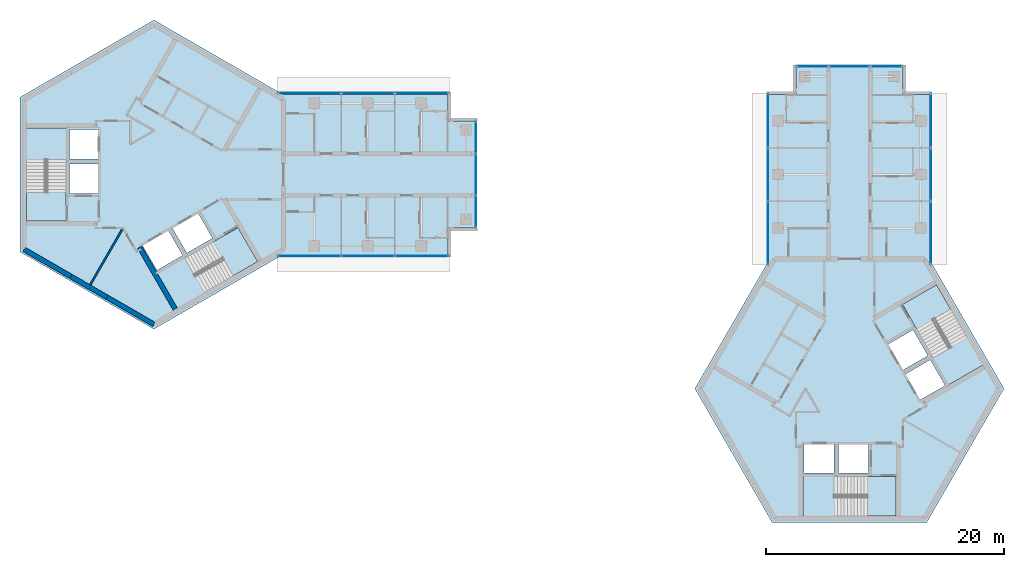
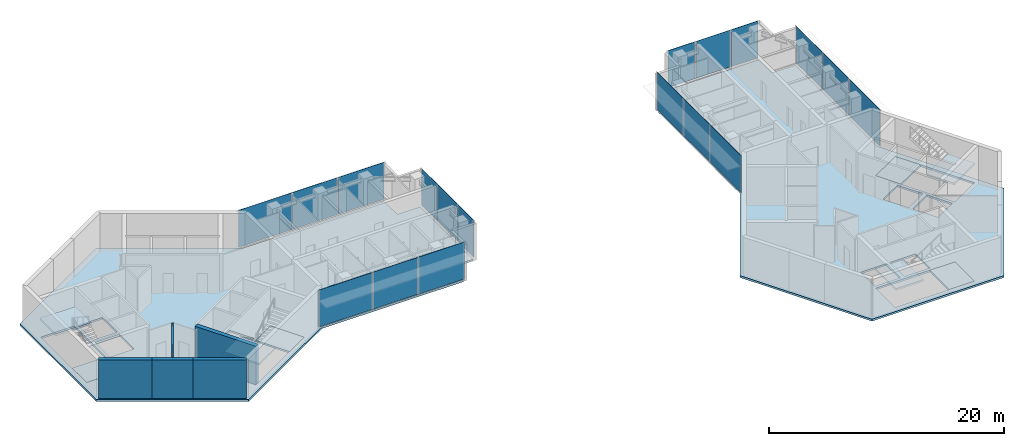
# One storey, part 4 of 11: 18 plates, 10 slabs, 5 walls, 10 elements without a shape of their own.
"""IFC4 building model written with IfcOpenShell, lengths in metres."""

from ifc_helpers import new_model, si_unit, direction, frame, frame_2d, origin, origin_2d, place, context, subcontext, project, spatial, polyline, rectangle, outline, extrude, material, layer, layer_set, type_object, element, aggregate, save


model = new_model("IFC4")

# Units and contexts
model_context = context("Model", 3, precision=1e-05, world=origin(), true_north=direction((0.0, 1.0)))
body_context = subcontext(model_context, "Body", "Model", "MODEL_VIEW")
ifc_project = project(units=[si_unit("LENGTHUNIT", "METRE"), si_unit("AREAUNIT", "SQUARE_METRE"), si_unit("VOLUMEUNIT", "CUBIC_METRE"), si_unit("PLANEANGLEUNIT", "RADIAN"), si_unit("MASSUNIT", "GRAM", prefix="KILO")], contexts=[model_context])

# Site, building, storey
site_placement = place(None, origin())
site = spatial("IfcSite", under=ifc_project, at=site_placement, CompositionType="ELEMENT")
building_placement = place(site_placement, origin())
building = spatial("IfcBuilding", under=site, at=building_placement, Name="Upepo Twin Towers", CompositionType="ELEMENT")
storey_placement = place(building_placement, frame((0.0, 0.0, 279.5)))
storey = spatial("IfcBuildingStorey", under=building, at=storey_placement, Name="L68", CompositionType="ELEMENT", Elevation=279.5)

# Curtain wall, plates
ifc_material_1 = material(Name="Aluminium and fritted glass", Category="aluminium")
curtain_wall_type = type_object("IfcCurtainWallType", Name="Tower curtain wall TW4, fritted glass", PredefinedType="NOTDEFINED", material=ifc_material_1)
curtain_wall_1_placement = place(storey_placement, origin())
curtain_wall_1 = element("IfcCurtainWall", 1, at=curtain_wall_1_placement, inside=storey, type_object=curtain_wall_type, Name="T1 L68 wing A flank L curtain wall", PredefinedType="NOTDEFINED")
ifc_material_2 = material(Name="Ceramic-fritted laminated glass", Category="glass")
ifc_layer_1 = layer(ifc_material_2, 0.031982421875)
ifc_layer_set_1 = layer_set([ifc_layer_1], Name="Fritted glass panel, 70 per cent dot frit, 32 mm double glazed")
plate_type_1 = type_object("IfcPlateType", Name="Fritted glass panel, 70 per cent dot frit, 32 mm double glazed", PredefinedType="CURTAIN_PANEL", material=ifc_layer_set_1)
plate_1_placement = place(storey_placement, frame((13.084716796875, 6.85009765625, 0.14990234375), z_axis=(0.0, 0.0, 1.0), x_axis=(1.0, 0.0, 0.0)))
plate_1 = element("IfcPlate", 2, at=plate_1_placement, type_object=plate_type_1, Name="T1 L68 wing A flank L curtain wall panel 1", PredefinedType="CURTAIN_PANEL", context=body_context, shape_type="SweptSolid", body=[
    extrude(rectangle(XDim=5.265380859375, YDim=0.031982421875, at=origin_2d()), origin(), (0.0, 0.0, 1.0), 3.85009765625),
])
plate_2_placement = place(storey_placement, frame((18.0, 6.85009765625, 0.14990234375), z_axis=(0.0, 0.0, 1.0), x_axis=(1.0, 0.0, 0.0)))
plate_2 = element("IfcPlate", 3, at=plate_2_placement, type_object=plate_type_1, Name="T1 L68 wing A flank L curtain wall panel 2", PredefinedType="CURTAIN_PANEL", context=body_context, shape_type="SweptSolid", body=[
    extrude(rectangle(XDim=4.43505859375, YDim=0.031982421875, at=origin_2d()), origin(), (0.0, 0.0, 1.0), 3.85009765625),
])
plate_3_placement = place(storey_placement, frame((22.53369140625, 6.85009765625, 0.14990234375), z_axis=(0.0, 0.0, 1.0), x_axis=(1.0, 0.0, 0.0)))
plate_3 = element("IfcPlate", 4, at=plate_3_placement, type_object=plate_type_1, Name="T1 L68 wing A flank L curtain wall panel 3", PredefinedType="CURTAIN_PANEL", context=body_context, shape_type="SweptSolid", body=[
    extrude(rectangle(XDim=4.50244140625, YDim=0.031982421875, at=origin_2d()), origin(), (0.0, 0.0, 1.0), 3.85009765625),
])
aggregate(curtain_wall_1, [plate_1, plate_2, plate_3])

curtain_wall_2_placement = place(storey_placement, origin())
curtain_wall_2 = element("IfcCurtainWall", 5, at=curtain_wall_2_placement, inside=storey, type_object=curtain_wall_type, Name="T1 L68 wing A flank R curtain wall", PredefinedType="NOTDEFINED")
plate_4_placement = place(storey_placement, frame((22.53369140625, -6.85009765625, 0.14990234375), z_axis=(0.0, 0.0, 1.0), x_axis=(-1.0, 0.0, 0.0)))
plate_4 = element("IfcPlate", 6, at=plate_4_placement, type_object=plate_type_1, Name="T1 L68 wing A flank R curtain wall panel 1", PredefinedType="CURTAIN_PANEL", context=body_context, shape_type="SweptSolid", body=[
    extrude(rectangle(XDim=4.50244140625, YDim=0.031982421875, at=origin_2d()), origin(), (0.0, 0.0, 1.0), 3.85009765625),
])
plate_5_placement = place(storey_placement, frame((18.0, -6.85009765625, 0.14990234375), z_axis=(0.0, 0.0, 1.0), x_axis=(-1.0, 0.0, 0.0)))
plate_5 = element("IfcPlate", 7, at=plate_5_placement, type_object=plate_type_1, Name="T1 L68 wing A flank R curtain wall panel 2", PredefinedType="CURTAIN_PANEL", context=body_context, shape_type="SweptSolid", body=[
    extrude(rectangle(XDim=4.43505859375, YDim=0.031982421875, at=origin_2d()), origin(), (0.0, 0.0, 1.0), 3.85009765625),
])
plate_6_placement = place(storey_placement, frame((13.084716796875, -6.85009765625, 0.14990234375), z_axis=(0.0, 0.0, 1.0), x_axis=(-1.0, 0.0, 0.0)))
plate_6 = element("IfcPlate", 8, at=plate_6_placement, type_object=plate_type_1, Name="T1 L68 wing A flank R curtain wall panel 3", PredefinedType="CURTAIN_PANEL", context=body_context, shape_type="SweptSolid", body=[
    extrude(rectangle(XDim=5.265380859375, YDim=0.031982421875, at=origin_2d()), origin(), (0.0, 0.0, 1.0), 3.85009765625),
])
aggregate(curtain_wall_2, [plate_4, plate_5, plate_6])

# Curtain wall, plate
curtain_wall_3_placement = place(storey_placement, origin())
curtain_wall_3 = element("IfcCurtainWall", 9, at=curtain_wall_3_placement, inside=storey, type_object=curtain_wall_type, Name="T1 L68 wing A nose curtain wall", PredefinedType="NOTDEFINED")
plate_7_placement = place(storey_placement, frame((27.10009765625, 0.0, 0.14990234375), z_axis=(0.0, 0.0, 1.0), x_axis=(0.0, 1.0, 0.0)))
plate_7 = element("IfcPlate", 10, at=plate_7_placement, type_object=plate_type_1, Name="T1 L68 wing A nose curtain wall panel 2", PredefinedType="CURTAIN_PANEL", context=body_context, shape_type="SweptSolid", body=[
    extrude(rectangle(XDim=3.43505859375, YDim=0.031982421875, at=origin_2d()), origin(), (0.0, 0.0, 1.0), 3.85009765625),
])

# Curtain wall, plates
curtain_wall_4_placement = place(storey_placement, origin())
curtain_wall_4 = element("IfcCurtainWall", 11, at=curtain_wall_4_placement, inside=storey, type_object=curtain_wall_type, Name="T2 L68 wing A flank L curtain wall", PredefinedType="NOTDEFINED")
plate_8_placement = place(storey_placement, frame((51.64990234375, -4.915283203125, 0.14990234375), z_axis=(0.0, 0.0, 1.0), x_axis=(0.0, 1.0, 0.0)))
plate_8 = element("IfcPlate", 12, at=plate_8_placement, type_object=plate_type_1, Name="T2 L68 wing A flank L curtain wall panel 1", PredefinedType="CURTAIN_PANEL", context=body_context, shape_type="SweptSolid", body=[
    extrude(rectangle(XDim=5.265380859375, YDim=0.031982421875, at=origin_2d()), origin(), (0.0, 0.0, 1.0), 3.85009765625),
])
plate_9_placement = place(storey_placement, frame((51.64990234375, 0.0, 0.14990234375), z_axis=(0.0, 0.0, 1.0), x_axis=(0.0, 1.0, 0.0)))
plate_9 = element("IfcPlate", 13, at=plate_9_placement, type_object=plate_type_1, Name="T2 L68 wing A flank L curtain wall panel 2", PredefinedType="CURTAIN_PANEL", context=body_context, shape_type="SweptSolid", body=[
    extrude(rectangle(XDim=4.43505859375, YDim=0.031982421875, at=origin_2d()), origin(), (0.0, 0.0, 1.0), 3.85009765625),
])
plate_10_placement = place(storey_placement, frame((51.64990234375, 4.53369140625, 0.14990234375), z_axis=(0.0, 0.0, 1.0), x_axis=(0.0, 1.0, 0.0)))
plate_10 = element("IfcPlate", 14, at=plate_10_placement, type_object=plate_type_1, Name="T2 L68 wing A flank L curtain wall panel 3", PredefinedType="CURTAIN_PANEL", context=body_context, shape_type="SweptSolid", body=[
    extrude(rectangle(XDim=4.50244140625, YDim=0.031982421875, at=origin_2d()), origin(), (0.0, 0.0, 1.0), 3.85009765625),
])
aggregate(curtain_wall_4, [plate_8, plate_9, plate_10])

curtain_wall_5_placement = place(storey_placement, origin())
curtain_wall_5 = element("IfcCurtainWall", 15, at=curtain_wall_5_placement, inside=storey, type_object=curtain_wall_type, Name="T2 L68 wing A flank R curtain wall", PredefinedType="NOTDEFINED")
plate_11_placement = place(storey_placement, frame((65.35009765625, 4.53369140625, 0.14990234375), z_axis=(0.0, 0.0, 1.0), x_axis=(0.0, -1.0, 0.0)))
plate_11 = element("IfcPlate", 16, at=plate_11_placement, type_object=plate_type_1, Name="T2 L68 wing A flank R curtain wall panel 1", PredefinedType="CURTAIN_PANEL", context=body_context, shape_type="SweptSolid", body=[
    extrude(rectangle(XDim=4.50244140625, YDim=0.031982421875, at=origin_2d()), origin(), (0.0, 0.0, 1.0), 3.85009765625),
])
plate_12_placement = place(storey_placement, frame((65.35009765625, 0.0, 0.14990234375), z_axis=(0.0, 0.0, 1.0), x_axis=(0.0, -1.0, 0.0)))
plate_12 = element("IfcPlate", 17, at=plate_12_placement, type_object=plate_type_1, Name="T2 L68 wing A flank R curtain wall panel 2", PredefinedType="CURTAIN_PANEL", context=body_context, shape_type="SweptSolid", body=[
    extrude(rectangle(XDim=4.43505859375, YDim=0.031982421875, at=origin_2d()), origin(), (0.0, 0.0, 1.0), 3.85009765625),
])
plate_13_placement = place(storey_placement, frame((65.35009765625, -4.915283203125, 0.14990234375), z_axis=(0.0, 0.0, 1.0), x_axis=(0.0, -1.0, 0.0)))
plate_13 = element("IfcPlate", 18, at=plate_13_placement, type_object=plate_type_1, Name="T2 L68 wing A flank R curtain wall panel 3", PredefinedType="CURTAIN_PANEL", context=body_context, shape_type="SweptSolid", body=[
    extrude(rectangle(XDim=5.265380859375, YDim=0.031982421875, at=origin_2d()), origin(), (0.0, 0.0, 1.0), 3.85009765625),
])
aggregate(curtain_wall_5, [plate_11, plate_12, plate_13])

# Curtain wall, plate
curtain_wall_6_placement = place(storey_placement, origin())
curtain_wall_6 = element("IfcCurtainWall", 19, at=curtain_wall_6_placement, inside=storey, type_object=curtain_wall_type, Name="T2 L68 wing A nose curtain wall", PredefinedType="NOTDEFINED")
plate_14_placement = place(storey_placement, frame((58.5, 9.10009765625, 0.14990234375), z_axis=(0.0, 0.0, 1.0), x_axis=(-1.0, 0.0, 0.0)))
plate_14 = element("IfcPlate", 20, at=plate_14_placement, type_object=plate_type_1, Name="T2 L68 wing A nose curtain wall panel 2", PredefinedType="CURTAIN_PANEL", context=body_context, shape_type="SweptSolid", body=[
    extrude(rectangle(XDim=3.43505859375, YDim=0.031982421875, at=origin_2d()), origin(), (0.0, 0.0, 1.0), 3.85009765625),
])

# Plate
ifc_material_3 = material(Name="Clear laminated glass in opening sash", Category="glass")
ifc_layer_2 = layer(ifc_material_3, 0.031982421875)
ifc_layer_set_2 = layer_set([ifc_layer_2], Name="Operable glass panel, 32 mm double glazed")
plate_type_2 = type_object("IfcPlateType", Name="Operable glass panel, 32 mm double glazed", PredefinedType="CURTAIN_PANEL", material=ifc_layer_set_2)
plate_15_placement = place(storey_placement, frame((27.10009765625, -3.108642578125, 0.14990234375), z_axis=(0.0, 0.0, 1.0), x_axis=(0.0, 1.0, 0.0)))
plate_15 = element("IfcPlate", 21, at=plate_15_placement, type_object=plate_type_2, Name="T1 L68 wing A nose curtain wall panel 1", PredefinedType="CURTAIN_PANEL", context=body_context, shape_type="SweptSolid", body=[
    extrude(rectangle(XDim=2.652587890625, YDim=0.031982421875, at=origin_2d()), origin(), (0.0, 0.0, 1.0), 3.85009765625),
])

plate_16_placement = place(storey_placement, frame((27.10009765625, 3.108642578125, 0.14990234375), z_axis=(0.0, 0.0, 1.0), x_axis=(0.0, 1.0, 0.0)))
plate_16 = element("IfcPlate", 22, at=plate_16_placement, type_object=plate_type_2, Name="T1 L68 wing A nose curtain wall panel 3", PredefinedType="CURTAIN_PANEL", context=body_context, shape_type="SweptSolid", body=[
    extrude(rectangle(XDim=2.652587890625, YDim=0.031982421875, at=origin_2d()), origin(), (0.0, 0.0, 1.0), 3.85009765625),
])

aggregate(curtain_wall_3, [plate_15, plate_7, plate_16])

plate_17_placement = place(storey_placement, frame((61.608642578125, 9.10009765625, 0.14990234375), z_axis=(0.0, 0.0, 1.0), x_axis=(-1.0, 0.0, 0.0)))
plate_17 = element("IfcPlate", 23, at=plate_17_placement, type_object=plate_type_2, Name="T2 L68 wing A nose curtain wall panel 1", PredefinedType="CURTAIN_PANEL", context=body_context, shape_type="SweptSolid", body=[
    extrude(rectangle(XDim=2.652587890625, YDim=0.031982421875, at=origin_2d()), origin(), (0.0, 0.0, 1.0), 3.85009765625),
])

plate_18_placement = place(storey_placement, frame((55.391357421875, 9.10009765625, 0.14990234375), z_axis=(0.0, 0.0, 1.0), x_axis=(-1.0, 0.0, 0.0)))
plate_18 = element("IfcPlate", 24, at=plate_18_placement, type_object=plate_type_2, Name="T2 L68 wing A nose curtain wall panel 3", PredefinedType="CURTAIN_PANEL", context=body_context, shape_type="SweptSolid", body=[
    extrude(rectangle(XDim=2.652587890625, YDim=0.031982421875, at=origin_2d()), origin(), (0.0, 0.0, 1.0), 3.85009765625),
])

aggregate(curtain_wall_6, [plate_17, plate_14, plate_18])

# Stair, slabs
ifc_material_4 = material(Name="Concrete C40/50", Category="concrete")
stair_type = type_object("IfcStairType", Name="Core stair, two flights", PredefinedType="HALF_TURN_STAIR", material=ifc_material_4)
stair_1_placement = place(storey_placement, origin())
stair_1 = element("IfcStair", 25, at=stair_1_placement, inside=storey, type_object=stair_type, Name="T1 stair S1 L68", PredefinedType="HALF_TURN_STAIR")
ifc_material_5 = material(Name="Concrete C40/50", Category="concrete")
ifc_layer_3 = layer(ifc_material_5, 0.199951171875)
ifc_layer_set_3 = layer_set([ifc_layer_3], Name="Concrete C40/50")
slab_type_1 = type_object("IfcSlabType", Name="Stair landing 200 RC", PredefinedType="LANDING", material=ifc_layer_set_3)
slab_1_placement = place(storey_placement, frame((0.0, 0.0, -0.199951171875)))
slab_1 = element("IfcSlab", 26, at=slab_1_placement, type_object=slab_type_1, Name="Stair S1 landing 1", PredefinedType="LANDING", context=body_context, shape_type="SweptSolid", body=[
    extrude(outline(polyline([(-7.39990234375, -1.419921875), (-10.708251953125, -1.419921875), (-10.708251953125, -3.89990234375), (-7.39990234375, -3.89990234375), (-7.39990234375, -1.419921875)])), origin(), (0.0, 0.0, 1.0), 0.199951171875),
])
slab_2_placement = place(storey_placement, frame((0.0, 0.0, 1.800048828125)))
slab_2 = element("IfcSlab", 27, at=slab_2_placement, type_object=slab_type_1, Name="Stair S1 landing 2", PredefinedType="LANDING", context=body_context, shape_type="SweptSolid", body=[
    extrude(outline(polyline([(-7.300048828125, 3.89990234375), (-10.808349609375, 3.89990234375), (-10.808349609375, 1.179931640625), (-7.300048828125, 1.179931640625), (-7.300048828125, 3.89990234375)])), origin(), (0.0, 0.0, 1.0), 0.199951171875),
])
aggregate(stair_1, [slab_1, slab_2])

stair_2_placement = place(storey_placement, origin())
stair_2 = element("IfcStair", 28, at=stair_2_placement, inside=storey, type_object=stair_type, Name="T1 stair S2 L68", PredefinedType="HALF_TURN_STAIR")
slab_3_placement = place(storey_placement, frame((0.0, 0.0, -0.199951171875)))
slab_3 = element("IfcSlab", 29, at=slab_3_placement, type_object=slab_type_1, Name="Stair S2 landing 1", PredefinedType="LANDING", context=body_context, shape_type="SweptSolid", body=[
    extrude(outline(polyline([(4.9296875, -5.698486328125), (6.583984375, -8.563720703125), (8.731689453125, -7.32373046875), (7.077392578125, -4.45849609375), (4.9296875, -5.698486328125)])), origin(), (0.0, 0.0, 1.0), 0.199951171875),
])
slab_4_placement = place(storey_placement, frame((0.0, 0.0, 1.800048828125)))
slab_4 = element("IfcSlab", 30, at=slab_4_placement, type_object=slab_type_1, Name="Stair S2 landing 2", PredefinedType="LANDING", context=body_context, shape_type="SweptSolid", body=[
    extrude(outline(polyline([(0.2724609375, -8.27197265625), (2.026611328125, -11.310302734375), (4.38232421875, -9.9501953125), (2.628173828125, -6.911865234375), (0.2724609375, -8.27197265625)])), origin(), (0.0, 0.0, 1.0), 0.199951171875),
])
aggregate(stair_2, [slab_3, slab_4])

stair_3_placement = place(storey_placement, origin())
stair_3 = element("IfcStair", 31, at=stair_3_placement, inside=storey, type_object=stair_type, Name="T2 stair S1 L68", PredefinedType="HALF_TURN_STAIR")
slab_5_placement = place(storey_placement, frame((0.0, 0.0, -0.199951171875)))
slab_5 = element("IfcSlab", 32, at=slab_5_placement, type_object=slab_type_1, Name="Stair S1 landing 1", PredefinedType="LANDING", context=body_context, shape_type="SweptSolid", body=[
    extrude(outline(polyline([(59.919921875, -25.39990234375), (59.919921875, -28.708251953125), (62.39990234375, -28.708251953125), (62.39990234375, -25.39990234375), (59.919921875, -25.39990234375)])), origin(), (0.0, 0.0, 1.0), 0.199951171875),
])
slab_6_placement = place(storey_placement, frame((0.0, 0.0, 1.800048828125)))
slab_6 = element("IfcSlab", 33, at=slab_6_placement, type_object=slab_type_1, Name="Stair S1 landing 2", PredefinedType="LANDING", context=body_context, shape_type="SweptSolid", body=[
    extrude(outline(polyline([(54.60009765625, -25.300048828125), (54.60009765625, -28.808349609375), (57.320068359375, -28.808349609375), (57.320068359375, -25.300048828125), (54.60009765625, -25.300048828125)])), origin(), (0.0, 0.0, 1.0), 0.199951171875),
])
aggregate(stair_3, [slab_5, slab_6])

stair_4_placement = place(storey_placement, origin())
stair_4 = element("IfcStair", 34, at=stair_4_placement, inside=storey, type_object=stair_type, Name="T2 stair S2 L68", PredefinedType="HALF_TURN_STAIR")
slab_7_placement = place(storey_placement, frame((0.0, 0.0, -0.199951171875)))
slab_7 = element("IfcSlab", 35, at=slab_7_placement, type_object=slab_type_1, Name="Stair S2 landing 1", PredefinedType="LANDING", context=body_context, shape_type="SweptSolid", body=[
    extrude(outline(polyline([(64.198486328125, -13.0703125), (67.063720703125, -11.416015625), (65.82373046875, -9.268310546875), (62.95849609375, -10.922607421875), (64.198486328125, -13.0703125)])), origin(), (0.0, 0.0, 1.0), 0.199951171875),
])
slab_8_placement = place(storey_placement, frame((0.0, 0.0, 1.800048828125)))
slab_8 = element("IfcSlab", 36, at=slab_8_placement, type_object=slab_type_1, Name="Stair S2 landing 2", PredefinedType="LANDING", context=body_context, shape_type="SweptSolid", body=[
    extrude(outline(polyline([(66.77197265625, -17.7275390625), (69.810302734375, -15.973388671875), (68.4501953125, -13.61767578125), (65.411865234375, -15.371826171875), (66.77197265625, -17.7275390625)])), origin(), (0.0, 0.0, 1.0), 0.199951171875),
])
aggregate(stair_4, [slab_7, slab_8])

# Slabs
ifc_material_6 = material(Name="Concrete C40/50", Category="concrete")
ifc_layer_4 = layer(ifc_material_6, 0.199951171875)
ifc_layer_set_4 = layer_set([ifc_layer_4], Name="Concrete C40/50")
slab_type_2 = type_object("IfcSlabType", Name="Tower floor slab 200 RC", PredefinedType="FLOOR", material=ifc_layer_set_4)
slab_9_placement = place(storey_placement, frame((0.0, 0.0, -0.199951171875)))
element("IfcSlab", 37, at=slab_9_placement, inside=storey, type_object=slab_type_2, Name="T1 L68 floor slab", PredefinedType="FLOOR", context=body_context, shape_type="SweptSolid", body=[
    extrude(outline(polyline([(0.0, -13.0), (-11.25830078125, -6.5), (-11.25830078125, 6.5), (0.0, 13.0), (10.825439453125, 6.75), (24.75, 6.75), (24.75, 4.5), (27.0, 4.5), (27.0, -4.5), (24.75, -4.5), (24.75, -6.75), (10.825439453125, -6.75), (0.0, -13.0)]), holes=[polyline([(-4.699951171875, 3.800048828125), (-7.10009765625, 3.800048828125), (-7.10009765625, 1.300048828125), (-4.699951171875, 1.300048828125), (-4.699951171875, 3.800048828125)]), polyline([(-4.699951171875, 0.89990234375), (-7.10009765625, 0.89990234375), (-7.10009765625, -1.60009765625), (-4.699951171875, -1.60009765625), (-4.699951171875, 0.89990234375)]), polyline([(-7.39990234375, 3.89990234375), (-10.708251953125, 3.89990234375), (-10.708251953125, -3.89990234375), (-7.39990234375, -3.89990234375), (-7.39990234375, 3.89990234375)]), polyline([(-0.94091796875, -5.97021484375), (0.259033203125, -8.048828125), (2.424072265625, -6.798828125), (1.22412109375, -4.72021484375), (-0.94091796875, -5.97021484375)]), polyline([(1.570556640625, -4.520263671875), (2.7705078125, -6.598876953125), (4.935546875, -5.348876953125), (3.735595703125, -3.270263671875), (1.570556640625, -4.520263671875)]), polyline([(0.322509765625, -8.358642578125), (1.9765625, -11.2236328125), (8.731689453125, -7.32373046875), (7.077392578125, -4.45849609375), (0.322509765625, -8.358642578125)])]), origin(), (0.0, 0.0, 1.0), 0.199951171875),
])
slab_10_placement = place(storey_placement, frame((0.0, 0.0, -0.199951171875)))
element("IfcSlab", 38, at=slab_10_placement, inside=storey, type_object=slab_type_2, Name="T2 L68 floor slab", PredefinedType="FLOOR", context=body_context, shape_type="SweptSolid", body=[
    extrude(outline(polyline([(71.5, -18.0), (65.0, -29.25830078125), (52.0, -29.25830078125), (45.5, -18.0), (51.75, -7.174560546875), (51.75, 6.75), (54.0, 6.75), (54.0, 9.0), (63.0, 9.0), (63.0, 6.75), (65.25, 6.75), (65.25, -7.174560546875), (71.5, -18.0)]), holes=[polyline([(54.699951171875, -22.699951171875), (54.699951171875, -25.10009765625), (57.199951171875, -25.10009765625), (57.199951171875, -22.699951171875), (54.699951171875, -22.699951171875)]), polyline([(57.60009765625, -22.699951171875), (57.60009765625, -25.10009765625), (60.10009765625, -25.10009765625), (60.10009765625, -22.699951171875), (57.60009765625, -22.699951171875)]), polyline([(54.60009765625, -25.39990234375), (54.60009765625, -28.708251953125), (62.39990234375, -28.708251953125), (62.39990234375, -25.39990234375), (54.60009765625, -25.39990234375)]), polyline([(64.47021484375, -18.94091796875), (66.548828125, -17.740966796875), (65.298828125, -15.575927734375), (63.22021484375, -16.77587890625), (64.47021484375, -18.94091796875)]), polyline([(63.020263671875, -16.429443359375), (65.098876953125, -15.2294921875), (63.848876953125, -13.064453125), (61.770263671875, -14.264404296875), (63.020263671875, -16.429443359375)]), polyline([(66.858642578125, -17.677490234375), (69.7236328125, -16.0234375), (65.82373046875, -9.268310546875), (62.95849609375, -10.922607421875), (66.858642578125, -17.677490234375)])]), origin(), (0.0, 0.0, 1.0), 0.199951171875),
])

# Walls
ifc_material_7 = material(Name="Concrete C60/75", Category="concrete")
ifc_layer_5 = layer(ifc_material_7, 0.39990234375)
ifc_layer_set_5 = layer_set([ifc_layer_5], Name="Concrete C60/75")
wall_type_1 = type_object("IfcWallType", Name="Core wall 400 RC", PredefinedType="SHEAR", material=ifc_layer_set_5)
wall_1_placement = place(storey_placement, frame((-10.908447265625, -6.2978515625, 0.0), z_axis=(0.0, 0.0, 1.0), x_axis=(0.866034513004, -0.499984222037, 0.0)))
element("IfcWall", 39, at=wall_1_placement, inside=storey, type_object=wall_type_1, Name="T1 core wall 240 R", PredefinedType="SHEAR", context=body_context, shape_type="SweptSolid", body=[
    extrude(rectangle(XDim=4.548095703125, YDim=0.39990234375, at=frame_2d((2.27392578125, 0.0))), origin(), (0.0, 0.0, 1.0), 4.0),
])
wall_2_placement = place(storey_placement, frame((-6.9697265625, -8.57177734375, 0.0), z_axis=(0.0, 0.0, 1.0), x_axis=(0.866019471182, -0.500010275428, 0.0)))
element("IfcWall", 40, at=wall_2_placement, inside=storey, type_object=wall_type_1, Name="T1 core wall 240", PredefinedType="SHEAR", context=body_context, shape_type="SweptSolid", body=[
    extrude(rectangle(XDim=3.5, YDim=0.39990234375, at=frame_2d((1.75, 0.0))), origin(), (0.0, 0.0, 1.0), 4.0),
])
wall_3_placement = place(storey_placement, frame((-3.938720703125, -10.32177734375, 0.0), z_axis=(0.0, 0.0, 1.0), x_axis=(0.866011268655, -0.500024481964, 0.0)))
element("IfcWall", 41, at=wall_3_placement, inside=storey, type_object=wall_type_1, Name="T1 core wall 240 L", PredefinedType="SHEAR", context=body_context, shape_type="SweptSolid", body=[
    extrude(rectangle(XDim=4.548095703125, YDim=0.39990234375, at=frame_2d((2.27392578125, 0.0))), origin(), (0.0, 0.0, 1.0), 4.0),
])
ifc_material_8 = material(Name="Concrete C40/50", Category="concrete")
ifc_layer_6 = layer(ifc_material_8, 0.39990234375)
ifc_layer_set_6 = layer_set([ifc_layer_6], Name="Concrete C40/50")
wall_type_2 = type_object("IfcWallType", Name="Shaft wall 400 RC", PredefinedType="SHEAR", material=ifc_layer_set_6)
wall_4_placement = place(storey_placement, frame((-1.20068359375, -6.120361328125, 0.0), z_axis=(0.0, 0.0, 1.0), x_axis=(0.499997979876, -0.866026570101, 0.0)))
element("IfcWall", 42, at=wall_4_placement, inside=storey, type_object=wall_type_2, Name="T1 core W300 side wall S", PredefinedType="SHEAR", context=body_context, shape_type="SweptSolid", body=[
    extrude(rectangle(XDim=6.00830078125, YDim=0.39990234375, at=frame_2d((3.004150390625, 0.0))), origin(), (0.0, 0.0, 1.0), 4.0),
])
ifc_material_9 = material(Name="Gypsum board on steel studs", Category="steel")
ifc_layer_7 = layer(ifc_material_9, 0.14990234375)
ifc_layer_set_7 = layer_set([ifc_layer_7], Name="Teaching partition 150 acoustic")
wall_type_3 = type_object("IfcWallType", Name="Teaching partition 150 acoustic", PredefinedType="PARTITIONING", material=ifc_layer_set_7)
wall_5_placement = place(storey_placement, frame((-2.641357421875, -4.574951171875, 0.0), z_axis=(0.0, 0.0, 1.0), x_axis=(-0.500010688608, -0.866019232626, 0.0)))
element("IfcWall", 43, at=wall_5_placement, inside=storey, type_object=wall_type_3, Name="T1 core room partition 14", PredefinedType="PARTITIONING", context=body_context, shape_type="SweptSolid", body=[
    extrude(rectangle(XDim=5.42578125, YDim=0.14990234375, at=frame_2d((2.712890625, 0.0))), origin(), (0.0, 0.0, 1.0), 3.800048828125),
])

save(model, "model.ifc")
